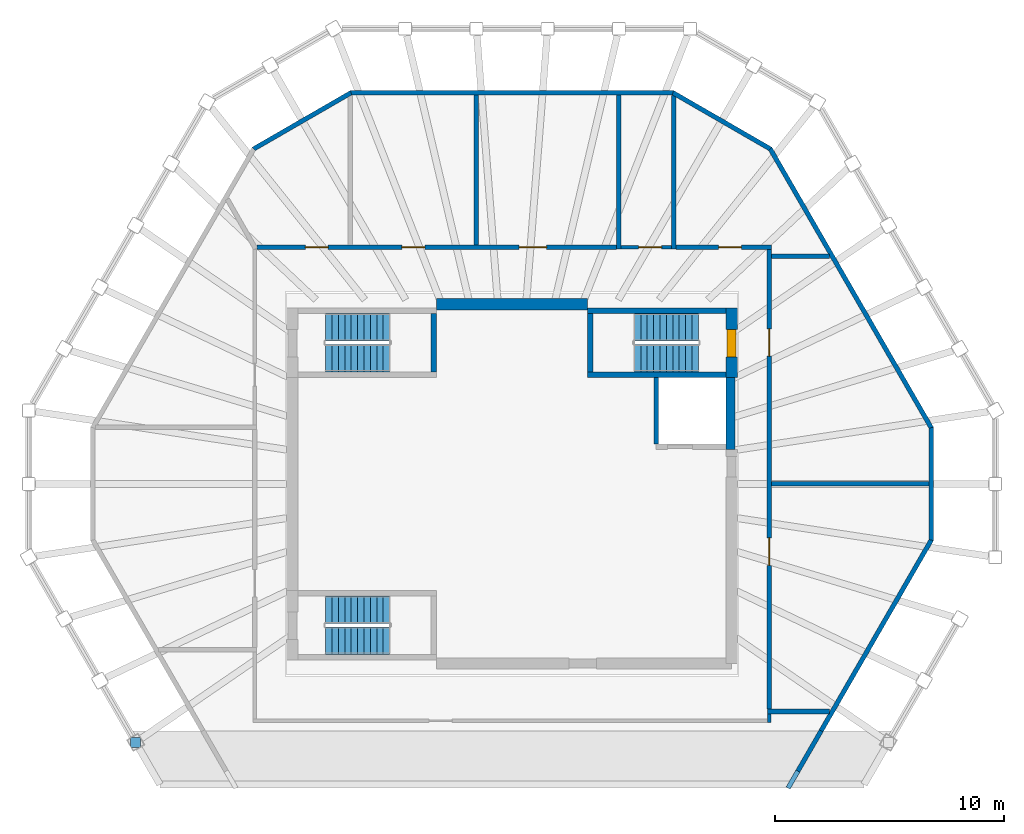
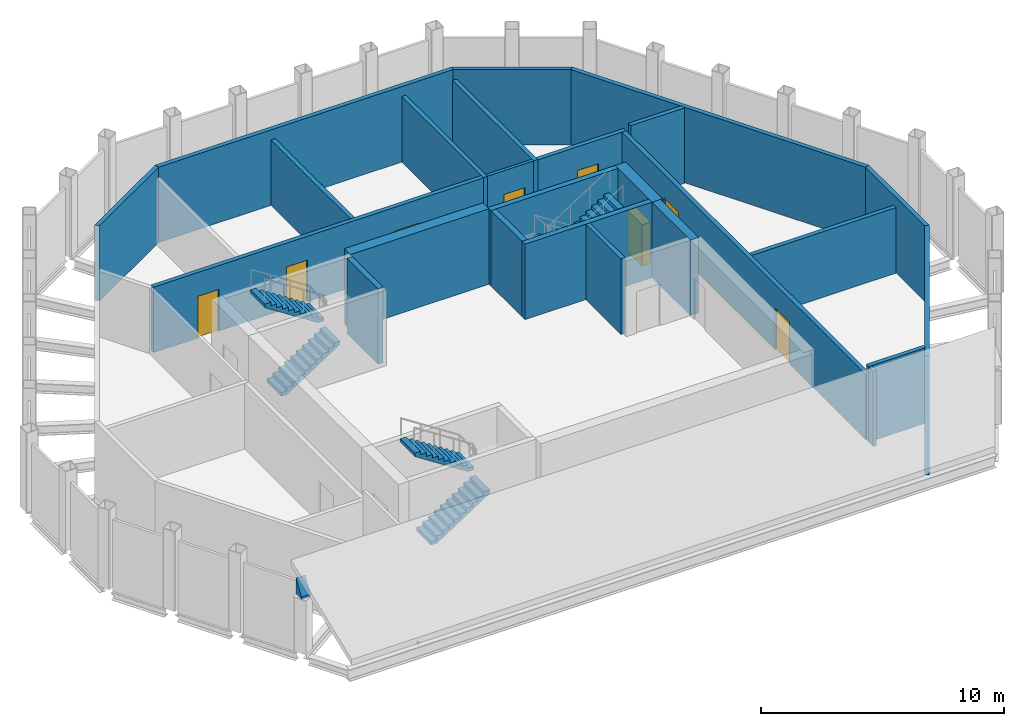
# One storey, part 3 of 5: 26 walls, 8 doors, 6 stair flights, 1 discrete accessory, 8 openings, 3 elements without a shape of their own.
"""IFC4 building model written with IfcOpenShell, lengths in metres."""

from ifc_helpers import new_model, si_unit, direction, frame, frame_2d, origin, place, context, subcontext, project, spatial, polyline, rectangle, outline, extrude, material, layer, layer_set, type_object, element, fill, aggregate, save


model = new_model("IFC4")

# Units and contexts
model_context = context("Model", 3, precision=1e-05, world=origin(), true_north=direction((0.0, 1.0)))
body_context = subcontext(model_context, "Body", "Model", "MODEL_VIEW")
ifc_project = project(units=[si_unit("LENGTHUNIT", "METRE"), si_unit("AREAUNIT", "SQUARE_METRE"), si_unit("VOLUMEUNIT", "CUBIC_METRE"), si_unit("PLANEANGLEUNIT", "RADIAN"), si_unit("MASSUNIT", "GRAM", prefix="KILO")], contexts=[model_context])

# Site, building, storey
site_placement = place(None, origin())
site = spatial("IfcSite", under=ifc_project, at=site_placement, CompositionType="ELEMENT")
building_placement = place(site_placement, origin())
building = spatial("IfcBuilding", under=site, at=building_placement, Name="Frailejon Research Tower", CompositionType="ELEMENT")
storey_placement = place(building_placement, frame((0.0, 0.0, 352.60009765625)))
storey = spatial("IfcBuildingStorey", under=building, at=storey_placement, Name="L79", CompositionType="ELEMENT", Elevation=352.60009765625)

# Walls
ifc_material_1 = material(Name="Concrete C50/60", Category="concrete")
ifc_layer_1 = layer(ifc_material_1, 0.39990234375)
ifc_layer_set_1 = layer_set([ifc_layer_1], Name="Core shear wall 400 C50/60")
wall_type_1 = type_object("IfcWallType", Name="Core shear wall 400 C50/60", PredefinedType="SHEAR", material=ifc_layer_set_1)
wall_1_placement = place(storey_placement, frame((9.550048828125, 1.5, 0.0), z_axis=(0.0, 0.0, 1.0), x_axis=(0.0, 1.0, 0.0)))
element("IfcWall", 1, at=wall_1_placement, inside=storey, type_object=wall_type_1, Name="Core shear wall", PredefinedType="SHEAR", context=body_context, shape_type="SweptSolid", body=[
    extrude(rectangle(XDim=3.14990234375, YDim=0.39990234375, at=frame_2d((1.574951171875, 0.0))), origin(), (0.0, 0.0, 1.0), 3.7998046875),
])
ifc_material_2 = material(Name="Concrete C50/60", Category="concrete")
ifc_layer_2 = layer(ifc_material_2, 0.5)
ifc_layer_set_2 = layer_set([ifc_layer_2], Name="Core shear wall 500 C50/60")
wall_type_2 = type_object("IfcWallType", Name="Core shear wall 500 C50/60", PredefinedType="SHEAR", material=ifc_layer_set_2)
wall_2_placement = place(storey_placement, frame((3.300048828125, 7.85009765625, 0.0), z_axis=(0.0, 0.0, 1.0), x_axis=(-1.0, 0.0, 0.0)))
element("IfcWall", 2, at=wall_2_placement, inside=storey, type_object=wall_type_2, Name="Core shear wall", PredefinedType="SHEAR", context=body_context, shape_type="SweptSolid", body=[
    extrude(rectangle(XDim=6.60009765625, YDim=0.5, at=frame_2d((3.300048828125, 0.0))), origin(), (0.0, 0.0, 1.0), 3.7998046875),
])

# Wall, opening, door
wall_3_placement = place(storey_placement, frame((9.60009765625, 4.64990234375, 0.0), z_axis=(0.0, 0.0, 1.0), x_axis=(0.0, 1.0, 0.0)))
wall_3 = element("IfcWall", 3, at=wall_3_placement, inside=storey, type_object=wall_type_2, Name="Core shear wall", PredefinedType="SHEAR", context=body_context, shape_type="SweptSolid", body=[
    extrude(rectangle(XDim=3.050048828125, YDim=0.5, at=frame_2d((1.52490234375, 0.0))), origin(), (0.0, 0.0, 1.0), 3.7998046875),
])
opening_1_placement = place(wall_3_placement, frame((0.89990234375, 0.0, 0.0)))
opening_1 = element("IfcOpeningElement", 4, at=opening_1_placement, cuts=wall_3, Name="Opening D7", PredefinedType="OPENING", context=body_context, shape_type="SweptSolid", body=[
    extrude(rectangle(XDim=1.199951171875, YDim=2.10009765625, at=frame_2d((0.60009765625, 1.050048828125))), frame((0.0, 0.260009765625, 0.0), z_axis=(0.0, -1.0, 0.0), x_axis=(1.0, 0.0, 0.0)), (0.0, 0.0, 1.0), 0.52001953125),
])
ifc_material_3 = material(Name="Steel", Category="steel")
door_type_1 = type_object("IfcDoorType", Name="Stair exit door", OperationType="SINGLE_SWING_LEFT", PredefinedType="DOOR", material=ifc_material_3)
door_1_placement = place(opening_1_placement, origin())
door_1 = element("IfcDoor", 5, at=door_1_placement, inside=storey, type_object=door_type_1, Name="Stair door ST3", OperationType="SINGLE_SWING_LEFT", OverallHeight=2.10009765625, OverallWidth=1.199951171875, PredefinedType="DOOR", context=body_context, shape_type="SweptSolid", body=[
    extrude(rectangle(XDim=1.199951171875, YDim=2.10009765625, at=frame_2d((0.60009765625, 1.050048828125))), frame((0.0, 0.199951171875, 0.0), z_axis=(0.0, -1.0, 0.0), x_axis=(1.0, 0.0, 0.0)), (0.0, 0.0, 1.0), 0.39990234375),
])
fill(opening_1, door_1)

ifc_material_4 = material(Name="Gypsum board and masonry partition", Category="masonry")
ifc_layer_3 = layer(ifc_material_4, 0.14990234375)
ifc_layer_set_3 = layer_set([ifc_layer_3], Name="Corridor wall EI 60, gypsum on steel studs 150")
wall_type_3 = type_object("IfcWallType", Name="Corridor wall EI 60, gypsum on steel studs 150", PredefinedType="PARTITIONING", material=ifc_layer_set_3)
wall_4_placement = place(storey_placement, frame((4.772216796875, 10.35009765625, 0.0), z_axis=(0.0, 0.0, 1.0), x_axis=(1.0, 0.0, 0.0)))
wall_4 = element("IfcWall", 6, at=wall_4_placement, inside=storey, type_object=wall_type_3, Name="T:IW:L79:001", PredefinedType="PARTITIONING", context=body_context, shape_type="SweptSolid", body=[
    extrude(rectangle(XDim=2.191650390625, YDim=0.14990234375, at=frame_2d((1.095703125, 0.0))), origin(), (0.0, 0.0, 1.0), 3.2998046875),
])
opening_2_placement = place(wall_4_placement, frame((0.7685546875, 0.0, 0.0)))
opening_2 = element("IfcOpeningElement", 7, at=opening_2_placement, cuts=wall_4, Name="Opening D1184", PredefinedType="OPENING", context=body_context, shape_type="SweptSolid", body=[
    extrude(rectangle(XDim=1.0, YDim=2.10009765625, at=frame_2d((0.5, 1.050048828125))), frame((0.0, 0.0849609375, 0.0), z_axis=(0.0, -1.0, 0.0), x_axis=(1.0, 0.0, 0.0)), (0.0, 0.0, 1.0), 0.169921875),
])
ifc_material_5 = material(Name="Timber door leaf", Category="wood")
door_type_2 = type_object("IfcDoorType", Name="Door single leaf, timber, steel frame 1000", OperationType="NOTDEFINED", PredefinedType="DOOR", material=ifc_material_5)
door_2_placement = place(opening_2_placement, origin())
door_2 = element("IfcDoor", 8, at=door_2_placement, inside=storey, type_object=door_type_2, Name="D1184", OperationType="SINGLE_SWING_RIGHT", OverallHeight=2.10009765625, OverallWidth=1.0, PredefinedType="DOOR", context=body_context, shape_type="SweptSolid", body=[
    extrude(rectangle(XDim=1.0, YDim=2.10009765625, at=frame_2d((0.5, 1.050048828125))), frame((0.0, 0.02490234375, 0.0), z_axis=(0.0, -1.0, 0.0), x_axis=(1.0, 0.0, 0.0)), (0.0, 0.0, 1.0), 0.050048828125),
])
fill(opening_2, door_2)

# Walls
wall_5_placement = place(storey_placement, frame((11.25, -10.425048828125, 0.0), z_axis=(0.0, 0.0, 1.0), x_axis=(0.0, 1.0, 0.0)))
element("IfcWall", 9, at=wall_5_placement, inside=storey, type_object=wall_type_3, Name="T:IW:L79:005", PredefinedType="PARTITIONING", context=body_context, shape_type="SweptSolid", body=[
    extrude(rectangle(XDim=0.376220703125, YDim=0.14990234375, at=frame_2d((0.18798828125, 0.0))), origin(), (0.0, 0.0, 1.0), 3.7998046875),
])
ifc_material_6 = material(Name="Aluminium louvre cladding panel", Category="aluminium")
ifc_layer_4 = layer(ifc_material_6, 0.199951171875)
ifc_layer_set_4 = layer_set([ifc_layer_4], Name="Crown louvred wall 200")
wall_type_4 = type_object("IfcWallType", Name="Crown louvred wall 200", PredefinedType="SOLIDWALL", material=ifc_layer_set_4)
wall_6_placement = place(storey_placement, frame((18.327392578125, -2.455810546875, 0.0), z_axis=(0.0, 0.0, 1.0), x_axis=(0.0, 1.0, 0.0)))
element("IfcWall", 10, at=wall_6_placement, inside=storey, type_object=wall_type_4, Name="Crown louvred wall L79", PredefinedType="SOLIDWALL", context=body_context, shape_type="SweptSolid", body=[
    extrude(outline(polyline([(-0.02685546875, -0.10009765625), (4.9384765625, -0.10009765625), (4.884765625, 0.10009765625), (0.02685546875, 0.10009765625), (-0.02685546875, -0.10009765625)])), origin(), (0.0, 0.0, 1.0), 3.7998046875),
])
wall_7_placement = place(storey_placement, frame((18.327392578125, 2.455810546875, 0.0), z_axis=(0.0, 0.0, 1.0), x_axis=(-0.499991740577, 0.866030172312, 0.0)))
element("IfcWall", 11, at=wall_7_placement, inside=storey, type_object=wall_type_4, Name="Crown louvred wall L79", PredefinedType="SOLIDWALL", context=body_context, shape_type="SweptSolid", body=[
    extrude(outline(polyline([(-0.02685546875, -0.10009765625), (14.100830078125, -0.10009765625), (14.047119140625, 0.10009765625), (0.02685546875, 0.10009765625), (-0.02685546875, -0.10009765625)])), origin(), (0.0, 0.0, 1.0), 3.7998046875),
])
wall_8_placement = place(storey_placement, frame((11.29052734375, 14.644287109375, 0.0), z_axis=(0.0, 0.0, 1.0), x_axis=(-0.86601671623, 0.500015046984, 0.0)))
element("IfcWall", 12, at=wall_8_placement, inside=storey, type_object=wall_type_4, Name="Crown louvred wall L79", PredefinedType="SOLIDWALL", context=body_context, shape_type="SweptSolid", body=[
    extrude(outline(polyline([(-0.02685546875, -0.10009765625), (4.938232421875, -0.10009765625), (4.884521484375, 0.10009765625), (0.02685546875, 0.10009765625), (-0.02685546875, -0.10009765625)])), origin(), (0.0, 0.0, 1.0), 3.7998046875),
])
wall_9_placement = place(storey_placement, frame((7.037109375, 17.10009765625, 0.0), z_axis=(0.0, 0.0, 1.0), x_axis=(-1.0, 0.0, 0.0)))
element("IfcWall", 13, at=wall_9_placement, inside=storey, type_object=wall_type_4, Name="Crown louvred wall L79", PredefinedType="SOLIDWALL", context=body_context, shape_type="SweptSolid", body=[
    extrude(outline(polyline([(-0.02685546875, -0.10009765625), (14.10107421875, -0.10009765625), (14.04736328125, 0.10009765625), (0.02685546875, 0.10009765625), (-0.02685546875, -0.10009765625)])), origin(), (0.0, 0.0, 1.0), 3.7998046875),
])
wall_10_placement = place(storey_placement, frame((-7.037109375, 17.10009765625, 0.0), z_axis=(0.0, 0.0, 1.0), x_axis=(-0.86601671623, -0.500015046984, 0.0)))
element("IfcWall", 14, at=wall_10_placement, inside=storey, type_object=wall_type_4, Name="Crown louvred wall L79", PredefinedType="SOLIDWALL", context=body_context, shape_type="SweptSolid", body=[
    extrude(outline(polyline([(-0.02685546875, -0.10009765625), (4.938232421875, -0.10009765625), (4.884521484375, 0.10009765625), (0.02685546875, 0.10009765625), (-0.02685546875, -0.10009765625)])), origin(), (0.0, 0.0, 1.0), 3.7998046875),
])
wall_11_placement = place(storey_placement, frame((12.071044921875, -13.292236328125, 0.0), z_axis=(0.0, 0.0, 1.0), x_axis=(0.500005579313, 0.866022182542, 0.0)))
element("IfcWall", 15, at=wall_11_placement, inside=storey, type_object=wall_type_4, Name="Crown louvred wall L79", PredefinedType="SOLIDWALL", context=body_context, shape_type="SweptSolid", body=[
    extrude(outline(polyline([(0.0, 0.0), (2.88623046875, 0.0), (2.885986328125, 4.0), (0.0, 0.02978515625), (0.0, 0.0)])), frame((0.0, 0.10009765625, 0.0), z_axis=(0.0, -1.0, 0.0), x_axis=(1.0, 0.0, 0.0)), (0.0, 0.0, 1.0), 0.199951171875),
])
wall_12_placement = place(storey_placement, frame((13.51416015625, -10.792724609375, 0.0), z_axis=(0.0, 0.0, 1.0), x_axis=(0.499993209709, 0.866029324125, 0.0)))
element("IfcWall", 16, at=wall_12_placement, inside=storey, type_object=wall_type_4, Name="Crown louvred wall L79", PredefinedType="SOLIDWALL", context=body_context, shape_type="SweptSolid", body=[
    extrude(outline(polyline([(0.0, -0.10009765625), (9.653564453125, -0.10009765625), (9.599853515625, 0.10009765625), (0.0, 0.10009765625), (0.0, -0.10009765625)])), origin(), (0.0, 0.0, 1.0), 3.7998046875),
])

# Wall, openings, doors
ifc_material_7 = material(Name="Gypsum board and masonry partition", Category="masonry")
ifc_layer_5 = layer(ifc_material_7, 0.199951171875)
ifc_layer_set_5 = layer_set([ifc_layer_5], Name="Plant enclosure wall, blockwork 200")
wall_type_5 = type_object("IfcWallType", Name="Plant enclosure wall, blockwork 200", PredefinedType="PARTITIONING", material=ifc_layer_set_5)
wall_13_placement = place(storey_placement, frame((11.25, -9.848876953125, 0.0), z_axis=(0.0, 0.0, 1.0), x_axis=(0.0, 1.0, 0.0)))
wall_13 = element("IfcWall", 17, at=wall_13_placement, inside=storey, type_object=wall_type_5, Name="T:IW:L79:006", PredefinedType="PARTITIONING", context=body_context, shape_type="SweptSolid", body=[
    extrude(rectangle(XDim=20.098876953125, YDim=0.199951171875, at=frame_2d((10.04931640625, 0.0))), origin(), (0.0, 0.0, 1.0), 3.2998046875),
])
opening_3_placement = place(wall_13_placement, frame((15.430419921875, 0.0, 0.0)))
opening_3 = element("IfcOpeningElement", 18, at=opening_3_placement, cuts=wall_13, Name="Opening D1182", PredefinedType="OPENING", context=body_context, shape_type="SweptSolid", body=[
    extrude(rectangle(XDim=1.199951171875, YDim=2.10009765625, at=frame_2d((0.60009765625, 1.050048828125))), frame((0.0, 0.10986328125, 0.0), z_axis=(0.0, -1.0, 0.0), x_axis=(1.0, 0.0, 0.0)), (0.0, 0.0, 1.0), 0.219970703125),
])
opening_4_placement = place(wall_13_placement, frame((6.28662109375, 0.0, 0.0)))
opening_4 = element("IfcOpeningElement", 19, at=opening_4_placement, cuts=wall_13, Name="Opening D1191", PredefinedType="OPENING", context=body_context, shape_type="SweptSolid", body=[
    extrude(rectangle(XDim=1.199951171875, YDim=2.10009765625, at=frame_2d((0.60009765625, 1.050048828125))), frame((0.0, 0.10986328125, 0.0), z_axis=(0.0, -1.0, 0.0), x_axis=(1.0, 0.0, 0.0)), (0.0, 0.0, 1.0), 0.219970703125),
])
ifc_material_8 = material(Name="Steel door leaf", Category="steel")
door_type_3 = type_object("IfcDoorType", Name="Door plant room, steel 1200", OperationType="NOTDEFINED", PredefinedType="DOOR", material=ifc_material_8)
door_3_placement = place(opening_3_placement, origin())
door_3 = element("IfcDoor", 20, at=door_3_placement, inside=storey, type_object=door_type_3, Name="D1182", OperationType="DOUBLE_DOOR_SINGLE_SWING", OverallHeight=2.10009765625, OverallWidth=1.199951171875, PredefinedType="DOOR", context=body_context, shape_type="SweptSolid", body=[
    extrude(rectangle(XDim=1.199951171875, YDim=2.10009765625, at=frame_2d((0.60009765625, 1.050048828125))), frame((0.0, 0.02490234375, 0.0), z_axis=(0.0, -1.0, 0.0), x_axis=(1.0, 0.0, 0.0)), (0.0, 0.0, 1.0), 0.050048828125),
])
fill(opening_3, door_3)
door_4_placement = place(opening_4_placement, origin())
door_4 = element("IfcDoor", 21, at=door_4_placement, inside=storey, type_object=door_type_3, Name="D1191", OperationType="DOUBLE_DOOR_SINGLE_SWING", OverallHeight=2.10009765625, OverallWidth=1.199951171875, PredefinedType="DOOR", context=body_context, shape_type="SweptSolid", body=[
    extrude(rectangle(XDim=1.199951171875, YDim=2.10009765625, at=frame_2d((0.60009765625, 1.050048828125))), frame((0.0, 0.02490234375, 0.0), z_axis=(0.0, -1.0, 0.0), x_axis=(1.0, 0.0, 0.0)), (0.0, 0.0, 1.0), 0.050048828125),
])
fill(opening_4, door_4)

wall_14_placement = place(storey_placement, frame((-11.14990234375, 10.35009765625, 0.0), z_axis=(0.0, 0.0, 1.0), x_axis=(1.0, 0.0, 0.0)))
wall_14 = element("IfcWall", 22, at=wall_14_placement, inside=storey, type_object=wall_type_5, Name="T:IW:L79:007", PredefinedType="PARTITIONING", context=body_context, shape_type="SweptSolid", body=[
    extrude(rectangle(XDim=15.72216796875, YDim=0.199951171875, at=frame_2d((7.861083984375, 0.0))), origin(), (0.0, 0.0, 1.0), 3.2998046875),
])
opening_5_placement = place(wall_14_placement, frame((11.4580078125, 0.0, 0.0)))
opening_5 = element("IfcOpeningElement", 23, at=opening_5_placement, cuts=wall_14, Name="Opening D1185", PredefinedType="OPENING", context=body_context, shape_type="SweptSolid", body=[
    extrude(rectangle(XDim=1.199951171875, YDim=2.10009765625, at=frame_2d((0.60009765625, 1.050048828125))), frame((0.0, 0.10986328125, 0.0), z_axis=(0.0, -1.0, 0.0), x_axis=(1.0, 0.0, 0.0)), (0.0, 0.0, 1.0), 0.219970703125),
])
opening_6_placement = place(wall_14_placement, frame((6.33935546875, 0.0, 0.0)))
opening_6 = element("IfcOpeningElement", 24, at=opening_6_placement, cuts=wall_14, Name="Opening D1186", PredefinedType="OPENING", context=body_context, shape_type="SweptSolid", body=[
    extrude(rectangle(XDim=1.0, YDim=2.10009765625, at=frame_2d((0.5, 1.050048828125))), frame((0.0, 0.10986328125, 0.0), z_axis=(0.0, -1.0, 0.0), x_axis=(1.0, 0.0, 0.0)), (0.0, 0.0, 1.0), 0.219970703125),
])
opening_7_placement = place(wall_14_placement, frame((2.11474609375, 0.0, 0.0)))
opening_7 = element("IfcOpeningElement", 25, at=opening_7_placement, cuts=wall_14, Name="Opening D1187", PredefinedType="OPENING", context=body_context, shape_type="SweptSolid", body=[
    extrude(rectangle(XDim=1.0, YDim=2.10009765625, at=frame_2d((0.5, 1.050048828125))), frame((0.0, 0.10986328125, 0.0), z_axis=(0.0, -1.0, 0.0), x_axis=(1.0, 0.0, 0.0)), (0.0, 0.0, 1.0), 0.219970703125),
])
ifc_material_9 = material(Name="Steel door leaf", Category="steel")
door_type_4 = type_object("IfcDoorType", Name="Door plant room, steel 1000", OperationType="NOTDEFINED", PredefinedType="DOOR", material=ifc_material_9)
door_5_placement = place(opening_6_placement, origin())
door_5 = element("IfcDoor", 26, at=door_5_placement, inside=storey, type_object=door_type_4, Name="D1186", OperationType="SINGLE_SWING_RIGHT", OverallHeight=2.10009765625, OverallWidth=1.0, PredefinedType="DOOR", context=body_context, shape_type="SweptSolid", body=[
    extrude(rectangle(XDim=1.0, YDim=2.10009765625, at=frame_2d((0.5, 1.050048828125))), frame((0.0, 0.02490234375, 0.0), z_axis=(0.0, -1.0, 0.0), x_axis=(1.0, 0.0, 0.0)), (0.0, 0.0, 1.0), 0.050048828125),
])
fill(opening_6, door_5)
door_6_placement = place(opening_7_placement, origin())
door_6 = element("IfcDoor", 27, at=door_6_placement, inside=storey, type_object=door_type_4, Name="D1187", OperationType="SINGLE_SWING_RIGHT", OverallHeight=2.10009765625, OverallWidth=1.0, PredefinedType="DOOR", context=body_context, shape_type="SweptSolid", body=[
    extrude(rectangle(XDim=1.0, YDim=2.10009765625, at=frame_2d((0.5, 1.050048828125))), frame((0.0, 0.02490234375, 0.0), z_axis=(0.0, -1.0, 0.0), x_axis=(1.0, 0.0, 0.0)), (0.0, 0.0, 1.0), 0.050048828125),
])
fill(opening_7, door_6)
door_7_placement = place(opening_5_placement, origin())
door_7 = element("IfcDoor", 28, at=door_7_placement, inside=storey, type_object=door_type_3, Name="D1185", OperationType="DOUBLE_DOOR_SINGLE_SWING", OverallHeight=2.10009765625, OverallWidth=1.199951171875, PredefinedType="DOOR", context=body_context, shape_type="SweptSolid", body=[
    extrude(rectangle(XDim=1.199951171875, YDim=2.10009765625, at=frame_2d((0.60009765625, 1.050048828125))), frame((0.0, 0.02490234375, 0.0), z_axis=(0.0, -1.0, 0.0), x_axis=(1.0, 0.0, 0.0)), (0.0, 0.0, 1.0), 0.050048828125),
])
fill(opening_5, door_7)

# Wall, opening, door
wall_15_placement = place(storey_placement, frame((7.163818359375, 10.35009765625, 0.0), z_axis=(0.0, 0.0, 1.0), x_axis=(1.0, 0.0, 0.0)))
wall_15 = element("IfcWall", 29, at=wall_15_placement, inside=storey, type_object=wall_type_5, Name="T:IW:L79:008", PredefinedType="PARTITIONING", context=body_context, shape_type="SweptSolid", body=[
    extrude(rectangle(XDim=4.186279296875, YDim=0.199951171875, at=frame_2d((2.09326171875, 0.0))), origin(), (0.0, 0.0, 1.0), 3.2998046875),
])
opening_8_placement = place(wall_15_placement, frame((1.8662109375, 0.0, 0.0)))
opening_8 = element("IfcOpeningElement", 30, at=opening_8_placement, cuts=wall_15, Name="Opening D1183", PredefinedType="OPENING", context=body_context, shape_type="SweptSolid", body=[
    extrude(rectangle(XDim=1.0, YDim=2.10009765625, at=frame_2d((0.5, 1.050048828125))), frame((0.0, 0.10986328125, 0.0), z_axis=(0.0, -1.0, 0.0), x_axis=(1.0, 0.0, 0.0)), (0.0, 0.0, 1.0), 0.219970703125),
])
door_8_placement = place(opening_8_placement, origin())
door_8 = element("IfcDoor", 31, at=door_8_placement, inside=storey, type_object=door_type_4, Name="D1183", OperationType="SINGLE_SWING_RIGHT", OverallHeight=2.10009765625, OverallWidth=1.0, PredefinedType="DOOR", context=body_context, shape_type="SweptSolid", body=[
    extrude(rectangle(XDim=1.0, YDim=2.10009765625, at=frame_2d((0.5, 1.050048828125))), frame((0.0, 0.02490234375, 0.0), z_axis=(0.0, -1.0, 0.0), x_axis=(1.0, 0.0, 0.0)), (0.0, 0.0, 1.0), 0.050048828125),
])
fill(opening_8, door_8)

# Walls
wall_16_placement = place(storey_placement, frame((11.35009765625, 9.94873046875, 0.0), z_axis=(0.0, 0.0, 1.0), x_axis=(1.0, 0.0, 0.0)))
element("IfcWall", 32, at=wall_16_placement, inside=storey, type_object=wall_type_5, Name="T:IW:L79:010", PredefinedType="PARTITIONING", context=body_context, shape_type="SweptSolid", body=[
    extrude(rectangle(XDim=2.535888671875, YDim=0.199951171875, at=frame_2d((1.26806640625, 0.0))), origin(), (0.0, 0.0, 1.0), 3.7998046875),
])
wall_17_placement = place(storey_placement, frame((11.35009765625, 0.0, 0.0), z_axis=(0.0, 0.0, 1.0), x_axis=(1.0, 0.0, 0.0)))
element("IfcWall", 33, at=wall_17_placement, inside=storey, type_object=wall_type_5, Name="T:IW:L79:011", PredefinedType="PARTITIONING", context=body_context, shape_type="SweptSolid", body=[
    extrude(rectangle(XDim=6.87744140625, YDim=0.199951171875, at=frame_2d((3.438720703125, 0.0))), origin(), (0.0, 0.0, 1.0), 3.2998046875),
])
wall_18_placement = place(storey_placement, frame((7.063720703125, 10.27490234375, 0.0), z_axis=(0.0, 0.0, 1.0), x_axis=(0.0, 1.0, 0.0)))
element("IfcWall", 34, at=wall_18_placement, inside=storey, type_object=wall_type_5, Name="T:IW:L79:012", PredefinedType="PARTITIONING", context=body_context, shape_type="SweptSolid", body=[
    extrude(rectangle(XDim=6.694091796875, YDim=0.199951171875, at=frame_2d((3.34716796875, 0.0))), origin(), (0.0, 0.0, 1.0), 3.2998046875),
])
wall_19_placement = place(storey_placement, frame((4.67236328125, 10.27490234375, 0.0), z_axis=(0.0, 0.0, 1.0), x_axis=(0.0, 1.0, 0.0)))
element("IfcWall", 35, at=wall_19_placement, inside=storey, type_object=wall_type_5, Name="T:IW:L79:013", PredefinedType="PARTITIONING", context=body_context, shape_type="SweptSolid", body=[
    extrude(rectangle(XDim=6.72509765625, YDim=0.199951171875, at=frame_2d((3.362548828125, 0.0))), origin(), (0.0, 0.0, 1.0), 3.2998046875),
])
wall_20_placement = place(storey_placement, frame((-1.557373046875, 10.449951171875, 0.0), z_axis=(0.0, 0.0, 1.0), x_axis=(0.0, 1.0, 0.0)))
element("IfcWall", 36, at=wall_20_placement, inside=storey, type_object=wall_type_5, Name="T:IW:L79:014", PredefinedType="PARTITIONING", context=body_context, shape_type="SweptSolid", body=[
    extrude(rectangle(XDim=6.550048828125, YDim=0.199951171875, at=frame_2d((3.27490234375, 0.0))), origin(), (0.0, 0.0, 1.0), 3.2998046875),
])
wall_21_placement = place(storey_placement, frame((11.175048828125, -9.94873046875, 0.0), z_axis=(0.0, 0.0, 1.0), x_axis=(1.0, 0.0, 0.0)))
element("IfcWall", 37, at=wall_21_placement, inside=storey, type_object=wall_type_5, Name="T:IW:L79:019", PredefinedType="PARTITIONING", context=body_context, shape_type="SweptSolid", body=[
    extrude(rectangle(XDim=2.7109375, YDim=0.199951171875, at=frame_2d((1.35546875, 0.0))), origin(), (0.0, 0.0, 1.0), 3.7998046875),
])
ifc_material_10 = material(Name="Concrete C50/60", Category="concrete")
ifc_layer_6 = layer(ifc_material_10, 0.199951171875)
ifc_layer_set_6 = layer_set([ifc_layer_6], Name="Shaft wall 200 C50/60")
wall_type_6 = type_object("IfcWallType", Name="Shaft wall 200 C50/60", PredefinedType="SOLIDWALL", material=ifc_layer_set_6)
wall_22_placement = place(storey_placement, frame((6.300048828125, 1.75, 0.0), z_axis=(0.0, 0.0, 1.0), x_axis=(0.0, 1.0, 0.0)))
element("IfcWall", 38, at=wall_22_placement, inside=storey, type_object=wall_type_6, Name="Shaft wall", PredefinedType="SOLIDWALL", context=body_context, shape_type="SweptSolid", body=[
    extrude(rectangle(XDim=2.89990234375, YDim=0.199951171875, at=frame_2d((1.449951171875, 0.0))), origin(), (0.0, 0.0, 1.0), 3.7998046875),
])
ifc_material_11 = material(Name="Concrete C50/60", Category="concrete")
ifc_layer_7 = layer(ifc_material_11, 0.25)
ifc_layer_set_7 = layer_set([ifc_layer_7], Name="Shaft wall 250 C50/60")
wall_type_7 = type_object("IfcWallType", Name="Shaft wall 250 C50/60", PredefinedType="SOLIDWALL", material=ifc_layer_set_7)
for number, where, z_axis, x_axis, name in (
    (39, (-3.425048828125, 4.89990234375, 0.0), (0.0, 0.0, 1.0), (0.0, 1.0, 0.0), "Shaft wall"),
    (40, (3.425048828125, 4.89990234375, 0.0), (0.0, 0.0, 1.0), (0.0, 1.0, 0.0), "Shaft wall"),
):
    element("IfcWall", number, at=place(storey_placement, frame(where, z_axis=z_axis, x_axis=x_axis)), inside=storey, type_object=wall_type_7, Name=name, PredefinedType="SOLIDWALL", context=body_context, shape_type="SweptSolid", body=[
        extrude(rectangle(XDim=2.550048828125, YDim=0.25, at=frame_2d((1.27490234375, 0.0))), origin(), (0.0, 0.0, 1.0), 3.7998046875),
    ])
for number, where, z_axis, x_axis, name in (
    (41, (3.300048828125, 4.77490234375, 0.0), (0.0, 0.0, 1.0), (1.0, 0.0, 0.0), "Shaft wall"),
    (42, (3.300048828125, 7.574951171875, 0.0), (0.0, 0.0, 1.0), (1.0, 0.0, 0.0), "Shaft wall"),
):
    element("IfcWall", number, at=place(storey_placement, frame(where, z_axis=z_axis, x_axis=x_axis)), inside=storey, type_object=wall_type_7, Name=name, PredefinedType="SOLIDWALL", context=body_context, shape_type="SweptSolid", body=[
        extrude(rectangle(XDim=6.050048828125, YDim=0.25, at=frame_2d((3.02490234375, 0.0))), origin(), (0.0, 0.0, 1.0), 3.7998046875),
    ])

# Stair, stair flights
ifc_material_12 = material(Name="Concrete C50/60", Category="concrete")
stair_type = type_object("IfcStairType", Name="Exit stair 22 risers", PredefinedType="HALF_TURN_STAIR", material=ifc_material_12)
stair_1_placement = place(storey_placement, origin())
stair_1 = element("IfcStair", 43, at=stair_1_placement, inside=storey, type_object=stair_type, Name="L79 Exit stair ST1", PredefinedType="HALF_TURN_STAIR")
ifc_material_13 = material(Name="Concrete C50/60", Category="concrete")
ifc_layer_8 = layer(ifc_material_13, 0.14990234375)
ifc_layer_set_8 = layer_set([ifc_layer_8], Name="Stair flight 11 risers")
stair_flight_type = type_object("IfcStairFlightType", Name="Stair flight 11 risers", PredefinedType="STRAIGHT", material=ifc_layer_set_8)
stair_flight_1_placement = place(storey_placement, frame((-8.14990234375, 5.5, 0.0), z_axis=(0.0, 0.0, 1.0), x_axis=(1.0, 0.0, 0.0)))
stair_flight_1 = element("IfcStairFlight", 44, at=stair_flight_1_placement, type_object=stair_flight_type, Name="ST1 flight 1", NumberOfRisers=11, NumberOfTreads=10, PredefinedType="STRAIGHT", RiserHeight=0.181818182, TreadLength=0.28, context=body_context, shape_type="SweptSolid", body=[
    extrude(outline(polyline([(0.0, 0.0), (0.0, 0.181884765625), (0.280029296875, 0.181884765625), (0.280029296875, 0.363525390625), (0.56005859375, 0.363525390625), (0.56005859375, 0.54541015625), (0.840087890625, 0.54541015625), (0.840087890625, 0.727294921875), (1.1201171875, 0.727294921875), (1.1201171875, 0.9091796875), (1.39990234375, 0.9091796875), (1.39990234375, 1.0908203125), (1.679931640625, 1.0908203125), (1.679931640625, 1.272705078125), (1.9599609375, 1.272705078125), (1.9599609375, 1.45458984375), (2.239990234375, 1.45458984375), (2.239990234375, 1.636474609375), (2.52001953125, 1.636474609375), (2.52001953125, 1.818115234375), (2.800048828125, 1.818115234375), (2.800048828125, 2.0), (2.800048828125, 1.639404296875), (0.275146484375, 0.0), (0.0, 0.0)])), frame((0.0, 0.60009765625, 0.0), z_axis=(0.0, -1.0, 0.0), x_axis=(1.0, 0.0, 0.0)), (0.0, 0.0, 1.0), 1.199951171875),
])
stair_flight_2_placement = place(storey_placement, frame((-5.35009765625, 6.85009765625, 2.0), z_axis=(0.0, 0.0, 1.0), x_axis=(-1.0, 0.0, 0.0)))
stair_flight_2 = element("IfcStairFlight", 45, at=stair_flight_2_placement, type_object=stair_flight_type, Name="ST1 flight 2", NumberOfRisers=11, NumberOfTreads=10, PredefinedType="STRAIGHT", RiserHeight=0.181818182, TreadLength=0.28, context=body_context, shape_type="SweptSolid", body=[
    extrude(outline(polyline([(0.0, 0.0), (0.0, 0.181884765625), (0.280029296875, 0.181884765625), (0.280029296875, 0.363525390625), (0.56005859375, 0.363525390625), (0.56005859375, 0.54541015625), (0.840087890625, 0.54541015625), (0.840087890625, 0.727294921875), (1.1201171875, 0.727294921875), (1.1201171875, 0.9091796875), (1.39990234375, 0.9091796875), (1.39990234375, 1.0908203125), (1.679931640625, 1.0908203125), (1.679931640625, 1.272705078125), (1.9599609375, 1.272705078125), (1.9599609375, 1.45458984375), (2.239990234375, 1.45458984375), (2.239990234375, 1.636474609375), (2.52001953125, 1.636474609375), (2.52001953125, 1.818115234375), (2.800048828125, 1.818115234375), (2.800048828125, 2.0), (2.800048828125, 1.639404296875), (0.275146484375, 0.0), (0.0, 0.0)])), frame((0.0, 0.60009765625, 0.0), z_axis=(0.0, -1.0, 0.0), x_axis=(1.0, 0.0, 0.0)), (0.0, 0.0, 1.0), 1.199951171875),
])
aggregate(stair_1, [stair_flight_1, stair_flight_2])

stair_2_placement = place(storey_placement, origin())
stair_2 = element("IfcStair", 46, at=stair_2_placement, inside=storey, type_object=stair_type, Name="L79 Exit stair ST2", PredefinedType="HALF_TURN_STAIR")
stair_flight_3_placement = place(storey_placement, frame((-8.14990234375, -6.85009765625, 0.0), z_axis=(0.0, 0.0, 1.0), x_axis=(1.0, 0.0, 0.0)))
stair_flight_3 = element("IfcStairFlight", 47, at=stair_flight_3_placement, type_object=stair_flight_type, Name="ST2 flight 1", NumberOfRisers=11, NumberOfTreads=10, PredefinedType="STRAIGHT", RiserHeight=0.181818182, TreadLength=0.28, context=body_context, shape_type="SweptSolid", body=[
    extrude(outline(polyline([(0.0, 0.0), (0.0, 0.181884765625), (0.280029296875, 0.181884765625), (0.280029296875, 0.363525390625), (0.56005859375, 0.363525390625), (0.56005859375, 0.54541015625), (0.840087890625, 0.54541015625), (0.840087890625, 0.727294921875), (1.1201171875, 0.727294921875), (1.1201171875, 0.9091796875), (1.39990234375, 0.9091796875), (1.39990234375, 1.0908203125), (1.679931640625, 1.0908203125), (1.679931640625, 1.272705078125), (1.9599609375, 1.272705078125), (1.9599609375, 1.45458984375), (2.239990234375, 1.45458984375), (2.239990234375, 1.636474609375), (2.52001953125, 1.636474609375), (2.52001953125, 1.818115234375), (2.800048828125, 1.818115234375), (2.800048828125, 2.0), (2.800048828125, 1.639404296875), (0.275146484375, 0.0), (0.0, 0.0)])), frame((0.0, 0.60009765625, 0.0), z_axis=(0.0, -1.0, 0.0), x_axis=(1.0, 0.0, 0.0)), (0.0, 0.0, 1.0), 1.199951171875),
])
stair_flight_4_placement = place(storey_placement, frame((-5.35009765625, -5.5, 2.0), z_axis=(0.0, 0.0, 1.0), x_axis=(-1.0, 0.0, 0.0)))
stair_flight_4 = element("IfcStairFlight", 48, at=stair_flight_4_placement, type_object=stair_flight_type, Name="ST2 flight 2", NumberOfRisers=11, NumberOfTreads=10, PredefinedType="STRAIGHT", RiserHeight=0.181818182, TreadLength=0.28, context=body_context, shape_type="SweptSolid", body=[
    extrude(outline(polyline([(0.0, 0.0), (0.0, 0.181884765625), (0.280029296875, 0.181884765625), (0.280029296875, 0.363525390625), (0.56005859375, 0.363525390625), (0.56005859375, 0.54541015625), (0.840087890625, 0.54541015625), (0.840087890625, 0.727294921875), (1.1201171875, 0.727294921875), (1.1201171875, 0.9091796875), (1.39990234375, 0.9091796875), (1.39990234375, 1.0908203125), (1.679931640625, 1.0908203125), (1.679931640625, 1.272705078125), (1.9599609375, 1.272705078125), (1.9599609375, 1.45458984375), (2.239990234375, 1.45458984375), (2.239990234375, 1.636474609375), (2.52001953125, 1.636474609375), (2.52001953125, 1.818115234375), (2.800048828125, 1.818115234375), (2.800048828125, 2.0), (2.800048828125, 1.639404296875), (0.275146484375, 0.0), (0.0, 0.0)])), frame((0.0, 0.60009765625, 0.0), z_axis=(0.0, -1.0, 0.0), x_axis=(1.0, 0.0, 0.0)), (0.0, 0.0, 1.0), 1.199951171875),
])
aggregate(stair_2, [stair_flight_3, stair_flight_4])

stair_3_placement = place(storey_placement, origin())
stair_3 = element("IfcStair", 49, at=stair_3_placement, inside=storey, type_object=stair_type, Name="L79 Exit stair ST3", PredefinedType="HALF_TURN_STAIR")
stair_flight_5_placement = place(storey_placement, frame((8.14990234375, 6.85009765625, 0.0), z_axis=(0.0, 0.0, 1.0), x_axis=(-1.0, 0.0, 0.0)))
stair_flight_5 = element("IfcStairFlight", 50, at=stair_flight_5_placement, type_object=stair_flight_type, Name="ST3 flight 1", NumberOfRisers=11, NumberOfTreads=10, PredefinedType="STRAIGHT", RiserHeight=0.181818182, TreadLength=0.28, context=body_context, shape_type="SweptSolid", body=[
    extrude(outline(polyline([(0.0, 0.0), (0.0, 0.181884765625), (0.280029296875, 0.181884765625), (0.280029296875, 0.363525390625), (0.56005859375, 0.363525390625), (0.56005859375, 0.54541015625), (0.840087890625, 0.54541015625), (0.840087890625, 0.727294921875), (1.1201171875, 0.727294921875), (1.1201171875, 0.9091796875), (1.39990234375, 0.9091796875), (1.39990234375, 1.0908203125), (1.679931640625, 1.0908203125), (1.679931640625, 1.272705078125), (1.9599609375, 1.272705078125), (1.9599609375, 1.45458984375), (2.239990234375, 1.45458984375), (2.239990234375, 1.636474609375), (2.52001953125, 1.636474609375), (2.52001953125, 1.818115234375), (2.800048828125, 1.818115234375), (2.800048828125, 2.0), (2.800048828125, 1.639404296875), (0.275146484375, 0.0), (0.0, 0.0)])), frame((0.0, 0.60009765625, 0.0), z_axis=(0.0, -1.0, 0.0), x_axis=(1.0, 0.0, 0.0)), (0.0, 0.0, 1.0), 1.199951171875),
])
stair_flight_6_placement = place(storey_placement, frame((5.35009765625, 5.5, 2.0), z_axis=(0.0, 0.0, 1.0), x_axis=(1.0, 0.0, 0.0)))
stair_flight_6 = element("IfcStairFlight", 51, at=stair_flight_6_placement, type_object=stair_flight_type, Name="ST3 flight 2", NumberOfRisers=11, NumberOfTreads=10, PredefinedType="STRAIGHT", RiserHeight=0.181818182, TreadLength=0.28, context=body_context, shape_type="SweptSolid", body=[
    extrude(outline(polyline([(0.0, 0.0), (0.0, 0.181884765625), (0.280029296875, 0.181884765625), (0.280029296875, 0.363525390625), (0.56005859375, 0.363525390625), (0.56005859375, 0.54541015625), (0.840087890625, 0.54541015625), (0.840087890625, 0.727294921875), (1.1201171875, 0.727294921875), (1.1201171875, 0.9091796875), (1.39990234375, 0.9091796875), (1.39990234375, 1.0908203125), (1.679931640625, 1.0908203125), (1.679931640625, 1.272705078125), (1.9599609375, 1.272705078125), (1.9599609375, 1.45458984375), (2.239990234375, 1.45458984375), (2.239990234375, 1.636474609375), (2.52001953125, 1.636474609375), (2.52001953125, 1.818115234375), (2.800048828125, 1.818115234375), (2.800048828125, 2.0), (2.800048828125, 1.639404296875), (0.275146484375, 0.0), (0.0, 0.0)])), frame((0.0, 0.60009765625, 0.0), z_axis=(0.0, -1.0, 0.0), x_axis=(1.0, 0.0, 0.0)), (0.0, 0.0, 1.0), 1.199951171875),
])
aggregate(stair_3, [stair_flight_5, stair_flight_6])

# Discrete accessory
discrete_accessory_placement = place(storey_placement, frame((-16.6748046875, -11.298828125, 2.7099609375), z_axis=(1.0, 0.0, 0.0), x_axis=(0.0, 1.0, 0.0)))
element("IfcDiscreteAccessory", 52, at=discrete_accessory_placement, inside=storey, Name="Crown column bearing wedge", PredefinedType="ANCHORPLATE", context=body_context, shape_type="SweptSolid", body=[
    extrude(outline(polyline([(-0.219482421875, 0.0), (0.219482421875, 0.0), (0.219482421875, 0.83154296875), (-0.219482421875, 0.128662109375), (-0.219482421875, 0.0)])), origin(), (0.0, 0.0, 1.0), 0.439208984375),
])

save(model, "model.ifc")
